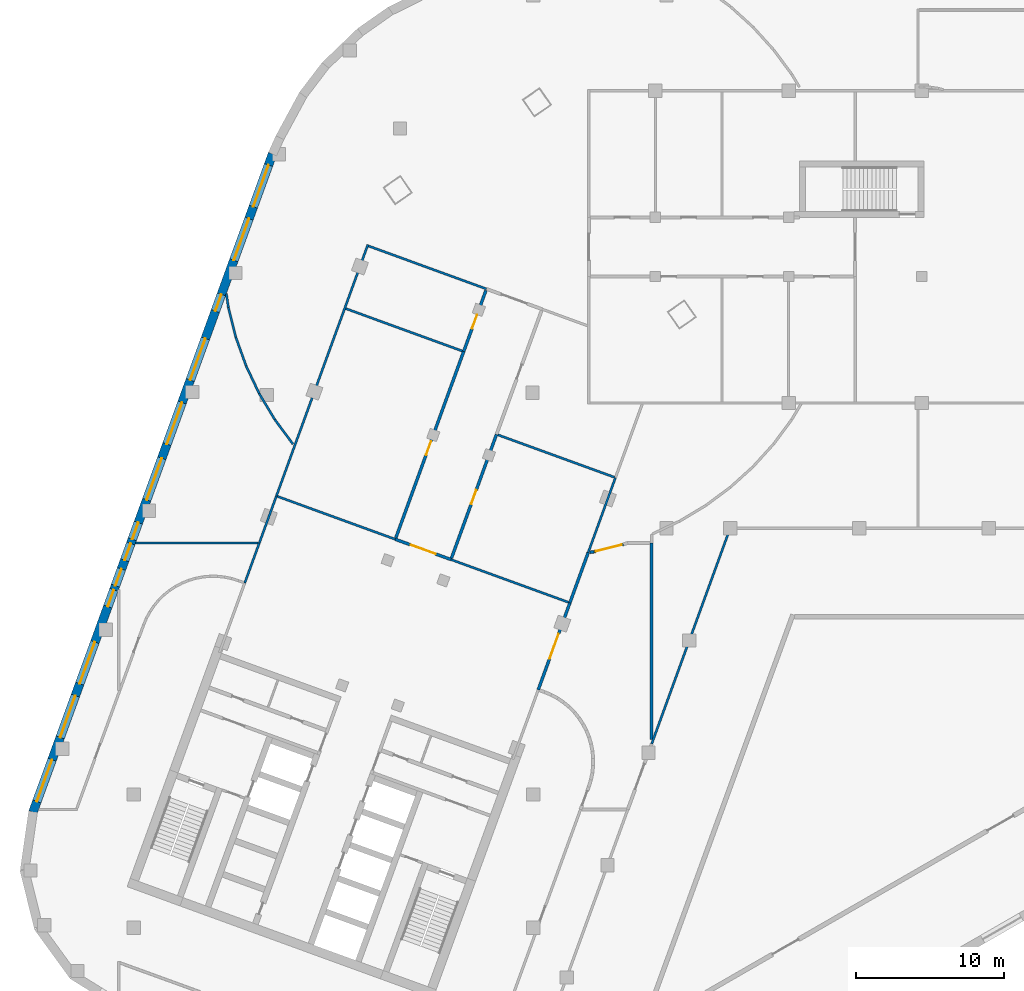
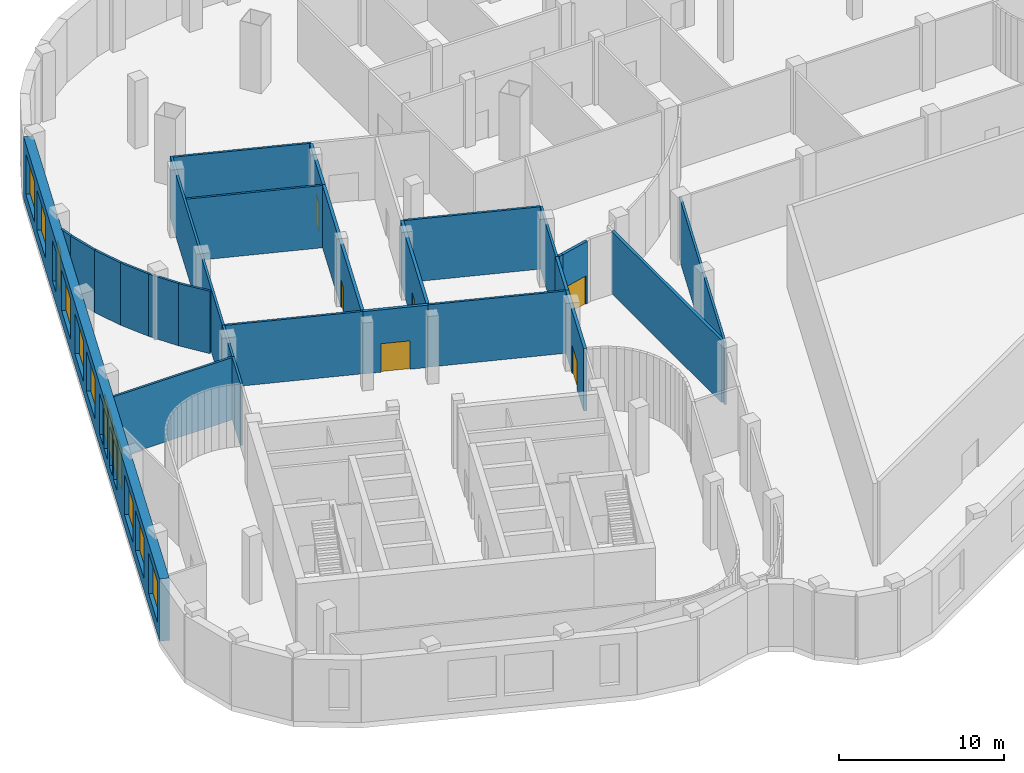
# One storey, part 11 of 24: 27 walls, 13 windows, 6 doors, 19 openings.
"""IFC4 building model written with IfcOpenShell, lengths in metres."""

from ifc_helpers import new_model, si_unit, direction, frame, frame_2d, origin, place, context, subcontext, project, spatial, rectangle, extrude, material, layer, layer_set, type_object, element, fill, save


model = new_model("IFC4")

# Units and contexts
model_context = context("Model", 3, precision=1e-05, world=origin(), true_north=direction((0.0, 1.0)))
body_context = subcontext(model_context, "Body", "Model", "MODEL_VIEW")
ifc_project = project(units=[si_unit("LENGTHUNIT", "METRE"), si_unit("AREAUNIT", "SQUARE_METRE"), si_unit("VOLUMEUNIT", "CUBIC_METRE"), si_unit("PLANEANGLEUNIT", "RADIAN"), si_unit("MASSUNIT", "GRAM", prefix="KILO")], contexts=[model_context])

# Site, building, storey
site_placement = place(None, origin())
site = spatial("IfcSite", under=ifc_project, at=site_placement, CompositionType="ELEMENT")
building_placement = place(site_placement, origin())
building = spatial("IfcBuilding", under=site, at=building_placement, Name="Skarvind Civic Tower", CompositionType="ELEMENT")
storey_placement = place(building_placement, frame((0.0, 0.0, 12.5)))
storey = spatial("IfcBuildingStorey", under=building, at=storey_placement, Name="L02", CompositionType="ELEMENT", Elevation=12.5)

# Wall, opening, door
ifc_material_1 = material(Name="Fire-rated blockwork wall, plastered", Category="masonry")
ifc_layer_1 = layer(ifc_material_1, 0.199951171875)
ifc_layer_set_1 = layer_set([ifc_layer_1], Name="FIRE WALL 200 EI 60")
wall_type_1 = type_object("IfcWallType", Name="FIRE WALL 200 EI 60", PredefinedType="PARTITIONING", material=ifc_layer_set_1)
wall_1_placement = place(storey_placement, frame((40.43994140625, 106.8779296875, 0.0), z_axis=(0.0, 0.0, 1.0), x_axis=(-0.939665029144, 0.342095941228, 0.0)))
wall_1 = element("IfcWall", 1, at=wall_1_placement, inside=storey, type_object=wall_type_1, Name="Podium partition L02 040", PredefinedType="PARTITIONING", context=body_context, shape_type="SweptSolid", body=[
    extrude(rectangle(XDim=3.999267578125, YDim=0.199951171875, at=frame_2d((1.99951171875, 0.0))), origin(), (0.0, 0.0, 1.0), 4.60009765625),
])
opening_1_placement = place(wall_1_placement, frame((1.09912109375, 0.0, 0.0)))
opening_1 = element("IfcOpeningElement", 2, at=opening_1_placement, cuts=wall_1, Name="Opening L02-D204", PredefinedType="OPENING", context=body_context, shape_type="SweptSolid", body=[
    extrude(rectangle(XDim=1.800048828125, YDim=2.10009765625, at=frame_2d((0.89990234375, 1.050048828125))), frame((0.0, 0.10986328125, 0.0), z_axis=(0.0, -1.0, 0.0), x_axis=(1.0, 0.0, 0.0)), (0.0, 0.0, 1.0), 0.219970703125),
])
ifc_material_2 = material(Name="Painted steel fire door leaf", Category="steel")
door_type_1 = type_object("IfcDoorType", Name="FIRE DOOR 1800X2100 DOUBLE STEEL", OperationType="NOTDEFINED", PredefinedType="DOOR", material=ifc_material_2)
door_1_placement = place(opening_1_placement, origin())
door_1 = element("IfcDoor", 3, at=door_1_placement, inside=storey, type_object=door_type_1, Name="FIRE DOOR", OperationType="DOUBLE_DOOR_SINGLE_SWING", OverallHeight=2.10009765625, OverallWidth=1.800048828125, PredefinedType="DOOR", context=body_context, shape_type="SweptSolid", body=[
    extrude(rectangle(XDim=1.800048828125, YDim=2.10009765625, at=frame_2d((0.89990234375, 1.050048828125))), frame((0.0, 0.02490234375, 0.0), z_axis=(0.0, -1.0, 0.0), x_axis=(1.0, 0.0, 0.0)), (0.0, 0.0, 1.0), 0.050048828125),
])
fill(opening_1, door_1)

wall_2_placement = place(storey_placement, frame((36.716064453125, 108.340087890625, 0.0), z_axis=(0.0, 0.0, 1.0), x_axis=(0.342018071111, 0.939693375008, 0.0)))
wall_2 = element("IfcWall", 4, at=wall_2_placement, inside=storey, type_object=wall_type_1, Name="Podium partition L02 041", PredefinedType="PARTITIONING", context=body_context, shape_type="SweptSolid", body=[
    extrude(rectangle(XDim=13.39990234375, YDim=0.199951171875, at=frame_2d((6.699951171875, 0.0))), origin(), (0.0, 0.0, 1.0), 4.60009765625),
])
opening_2_placement = place(wall_2_placement, frame((5.951904296875, 0.0, 0.0)))
opening_2 = element("IfcOpeningElement", 5, at=opening_2_placement, cuts=wall_2, Name="Opening L02-D205", PredefinedType="OPENING", context=body_context, shape_type="SweptSolid", body=[
    extrude(rectangle(XDim=1.0, YDim=2.10009765625, at=frame_2d((0.5, 1.050048828125))), frame((0.0, 0.10986328125, 0.0), z_axis=(0.0, -1.0, 0.0), x_axis=(1.0, 0.0, 0.0)), (0.0, 0.0, 1.0), 0.219970703125),
])
door_type_2 = type_object("IfcDoorType", Name="FIRE DOOR 1000X2100 STEEL", OperationType="NOTDEFINED", PredefinedType="DOOR", material=ifc_material_2)
door_2_placement = place(opening_2_placement, origin())
door_2 = element("IfcDoor", 6, at=door_2_placement, inside=storey, type_object=door_type_2, Name="FIRE DOOR", OperationType="SINGLE_SWING_LEFT", OverallHeight=2.10009765625, OverallWidth=1.0, PredefinedType="DOOR", context=body_context, shape_type="SweptSolid", body=[
    extrude(rectangle(XDim=1.0, YDim=2.10009765625, at=frame_2d((0.5, 1.050048828125))), frame((0.0, 0.02490234375, 0.0), z_axis=(0.0, -1.0, 0.0), x_axis=(1.0, 0.0, 0.0)), (0.0, 0.0, 1.0), 0.050048828125),
])
fill(opening_2, door_2)

wall_3_placement = place(storey_placement, frame((43.51904296875, 115.3349609375, 0.0), z_axis=(0.0, 0.0, 1.0), x_axis=(-0.342121866134, -0.939655590476, 0.0)))
wall_3 = element("IfcWall", 7, at=wall_3_placement, inside=storey, type_object=wall_type_1, Name="Podium partition L02 049", PredefinedType="PARTITIONING", context=body_context, shape_type="SweptSolid", body=[
    extrude(rectangle(XDim=8.900146484375, YDim=0.199951171875, at=frame_2d((4.4501953125, 0.0))), origin(), (0.0, 0.0, 1.0), 4.60009765625),
])
opening_3_placement = place(wall_3_placement, frame((3.998046875, 0.0, 0.0)))
opening_3 = element("IfcOpeningElement", 8, at=opening_3_placement, cuts=wall_3, Name="Opening L02-D206", PredefinedType="OPENING", context=body_context, shape_type="SweptSolid", body=[
    extrude(rectangle(XDim=1.0, YDim=2.10009765625, at=frame_2d((0.5, 1.050048828125))), frame((0.0, 0.10986328125, 0.0), z_axis=(0.0, -1.0, 0.0), x_axis=(1.0, 0.0, 0.0)), (0.0, 0.0, 1.0), 0.219970703125),
])
door_3_placement = place(opening_3_placement, origin())
door_3 = element("IfcDoor", 9, at=door_3_placement, inside=storey, type_object=door_type_2, Name="FIRE DOOR", OperationType="SINGLE_SWING_LEFT", OverallHeight=2.10009765625, OverallWidth=1.0, PredefinedType="DOOR", context=body_context, shape_type="SweptSolid", body=[
    extrude(rectangle(XDim=1.0, YDim=2.10009765625, at=frame_2d((0.5, 1.050048828125))), frame((0.0, 0.02490234375, 0.0), z_axis=(0.0, -1.0, 0.0), x_axis=(1.0, 0.0, 0.0)), (0.0, 0.0, 1.0), 0.050048828125),
])
fill(opening_3, door_3)

wall_4_placement = place(storey_placement, frame((41.299072265625, 120.931884765625, 0.0), z_axis=(0.0, 0.0, 1.0), x_axis=(0.342063854115, 0.939676710208, 0.0)))
wall_4 = element("IfcWall", 10, at=wall_4_placement, inside=storey, type_object=wall_type_1, Name="Podium partition L02 052", PredefinedType="PARTITIONING", context=body_context, shape_type="SweptSolid", body=[
    extrude(rectangle(XDim=4.3994140625, YDim=0.199951171875, at=frame_2d((2.19970703125, 0.0))), origin(), (0.0, 0.0, 1.0), 4.60009765625),
])
opening_4_placement = place(wall_4_placement, frame((1.64794921875, 0.0, 0.0)))
opening_4 = element("IfcOpeningElement", 11, at=opening_4_placement, cuts=wall_4, Name="Opening L02-D207", PredefinedType="OPENING", context=body_context, shape_type="SweptSolid", body=[
    extrude(rectangle(XDim=1.0, YDim=2.10009765625, at=frame_2d((0.5, 1.050048828125))), frame((0.0, 0.10986328125, 0.0), z_axis=(0.0, -1.0, 0.0), x_axis=(1.0, 0.0, 0.0)), (0.0, 0.0, 1.0), 0.219970703125),
])
door_4_placement = place(opening_4_placement, origin())
door_4 = element("IfcDoor", 12, at=door_4_placement, inside=storey, type_object=door_type_2, Name="FIRE DOOR", OperationType="SINGLE_SWING_RIGHT", OverallHeight=2.10009765625, OverallWidth=1.0, PredefinedType="DOOR", context=body_context, shape_type="SweptSolid", body=[
    extrude(rectangle(XDim=1.0, YDim=2.10009765625, at=frame_2d((0.5, 1.050048828125))), frame((0.0, 0.02490234375, 0.0), z_axis=(0.0, -1.0, 0.0), x_axis=(1.0, 0.0, 0.0)), (0.0, 0.0, 1.0), 0.050048828125),
])
fill(opening_4, door_4)

wall_5_placement = place(storey_placement, frame((46.3369140625, 98.080078125, 0.0), z_axis=(0.0, 0.0, 1.0), x_axis=(0.342113136459, 0.939658768842, 0.0)))
wall_5 = element("IfcWall", 13, at=wall_5_placement, inside=storey, type_object=wall_type_1, Name="Podium partition L02 073", PredefinedType="PARTITIONING", context=body_context, shape_type="SweptSolid", body=[
    extrude(rectangle(XDim=6.25, YDim=0.199951171875, at=frame_2d((3.125, 0.0))), origin(), (0.0, 0.0, 1.0), 4.60009765625),
])
opening_5_placement = place(wall_5_placement, frame((2.222900390625, 0.0, 0.0)))
opening_5 = element("IfcOpeningElement", 14, at=opening_5_placement, cuts=wall_5, Name="Opening L02-D211", PredefinedType="OPENING", context=body_context, shape_type="SweptSolid", body=[
    extrude(rectangle(XDim=1.800048828125, YDim=2.10009765625, at=frame_2d((0.89990234375, 1.050048828125))), frame((0.0, 0.10986328125, 0.0), z_axis=(0.0, -1.0, 0.0), x_axis=(1.0, 0.0, 0.0)), (0.0, 0.0, 1.0), 0.219970703125),
])
door_5_placement = place(opening_5_placement, origin())
door_5 = element("IfcDoor", 15, at=door_5_placement, inside=storey, type_object=door_type_1, Name="FIRE DOOR", OperationType="DOUBLE_DOOR_SINGLE_SWING", OverallHeight=2.10009765625, OverallWidth=1.800048828125, PredefinedType="DOOR", context=body_context, shape_type="SweptSolid", body=[
    extrude(rectangle(XDim=1.800048828125, YDim=2.10009765625, at=frame_2d((0.89990234375, 1.050048828125))), frame((0.0, 0.02490234375, 0.0), z_axis=(0.0, -1.0, 0.0), x_axis=(1.0, 0.0, 0.0)), (0.0, 0.0, 1.0), 0.050048828125),
])
fill(opening_5, door_5)

# Walls
wall_6_placement = place(storey_placement, frame((48.47509765625, 103.952880859375, 0.0), z_axis=(0.0, 0.0, 1.0), x_axis=(0.341992779494, 0.939702579955, 0.0)))
element("IfcWall", 16, at=wall_6_placement, inside=storey, type_object=wall_type_1, Name="Podium partition L02 084", PredefinedType="PARTITIONING", context=body_context, shape_type="SweptSolid", body=[
    extrude(rectangle(XDim=3.61083984375, YDim=0.199951171875, at=frame_2d((1.805419921875, 0.0))), origin(), (0.0, 0.0, 1.0), 4.60009765625),
])
wall_7_placement = place(storey_placement, frame((49.822998046875, 107.363037109375, 0.0), z_axis=(0.0, 0.0, 1.0), x_axis=(0.988866439098, 0.148805798359, 0.0)))
element("IfcWall", 17, at=wall_7_placement, inside=storey, type_object=wall_type_1, Name="Podium partition L02 091", PredefinedType="PARTITIONING", context=body_context, shape_type="SweptSolid", body=[
    extrude(rectangle(XDim=0.2822265625, YDim=0.199951171875, at=frame_2d((0.14111328125, 0.0))), origin(), (0.0, 0.0, 1.0), 4.60009765625),
])

# Wall, opening, door
wall_8_placement = place(storey_placement, frame((52.10107421875, 107.905029296875, 0.0), z_axis=(0.0, 0.0, 1.0), x_axis=(-0.970177165917, -0.242396919811, 0.0)))
wall_8 = element("IfcWall", 18, at=wall_8_placement, inside=storey, type_object=wall_type_1, Name="Podium partition L02 107", PredefinedType="PARTITIONING", context=body_context, shape_type="SweptSolid", body=[
    extrude(rectangle(XDim=2.07080078125, YDim=0.199951171875, at=frame_2d((1.035400390625, 0.0))), origin(), (0.0, 0.0, 1.0), 4.60009765625),
])
opening_6_placement = place(wall_8_placement, frame((0.135986328125, 0.0, 0.0)))
opening_6 = element("IfcOpeningElement", 19, at=opening_6_placement, cuts=wall_8, Name="Opening L02-D214", PredefinedType="OPENING", context=body_context, shape_type="SweptSolid", body=[
    extrude(rectangle(XDim=1.800048828125, YDim=2.10009765625, at=frame_2d((0.89990234375, 1.050048828125))), frame((0.0, 0.10986328125, 0.0), z_axis=(0.0, -1.0, 0.0), x_axis=(1.0, 0.0, 0.0)), (0.0, 0.0, 1.0), 0.219970703125),
])
door_6_placement = place(opening_6_placement, origin())
door_6 = element("IfcDoor", 20, at=door_6_placement, inside=storey, type_object=door_type_1, Name="FIRE DOOR", OperationType="DOUBLE_DOOR_SINGLE_SWING", OverallHeight=2.10009765625, OverallWidth=1.800048828125, PredefinedType="DOOR", context=body_context, shape_type="SweptSolid", body=[
    extrude(rectangle(XDim=1.800048828125, YDim=2.10009765625, at=frame_2d((0.89990234375, 1.050048828125))), frame((0.0, 0.02490234375, 0.0), z_axis=(0.0, -1.0, 0.0), x_axis=(1.0, 0.0, 0.0)), (0.0, 0.0, 1.0), 0.050048828125),
])
fill(opening_6, door_6)

# Walls
wall_9_placement = place(storey_placement, frame((54.0, 94.715087890625, 0.0), z_axis=(0.0, 0.0, 1.0), x_axis=(0.0, 1.0, 0.0)))
element("IfcWall", 21, at=wall_9_placement, inside=storey, type_object=wall_type_1, Name="Podium partition L02 114", PredefinedType="PARTITIONING", context=body_context, shape_type="SweptSolid", body=[
    extrude(rectangle(XDim=13.284912109375, YDim=0.199951171875, at=frame_2d((6.642578125, 0.0))), origin(), (0.0, 0.0, 1.0), 4.60009765625),
])
ifc_material_3 = material(Name="Plasterboard partition on steel studs", Category="steel")
ifc_layer_2 = layer(ifc_material_3, 0.14990234375)
ifc_layer_set_2 = layer_set([ifc_layer_2], Name="PARTITION 150")
wall_type_2 = type_object("IfcWallType", Name="PARTITION 150", PredefinedType="PARTITIONING", material=ifc_layer_set_2)
wall_10_placement = place(storey_placement, frame((19.139892578125, 108.0, 0.0), z_axis=(0.0, 0.0, 1.0), x_axis=(1.0, 0.0, 0.0)))
element("IfcWall", 22, at=wall_10_placement, inside=storey, type_object=wall_type_2, Name="Podium partition L02 006", PredefinedType="PARTITIONING", context=body_context, shape_type="SweptSolid", body=[
    extrude(rectangle(XDim=8.274169921875, YDim=0.14990234375, at=frame_2d((4.13720703125, 0.0))), origin(), (0.0, 0.0, 1.0), 4.60009765625),
])
wall_11_placement = place(storey_placement, frame((25.26611328125, 124.8310546875, 0.0), z_axis=(0.0, 0.0, 1.0), x_axis=(0.147402970256, -0.989076520983, 0.0)))
element("IfcWall", 23, at=wall_11_placement, inside=storey, type_object=wall_type_2, Name="Podium partition L02 023", PredefinedType="PARTITIONING", context=body_context, shape_type="SweptSolid", body=[
    extrude(rectangle(XDim=0.9423828125, YDim=0.14990234375, at=frame_2d((0.47119140625, 0.0))), origin(), (0.0, 0.0, 1.0), 4.60009765625),
])
wall_12_placement = place(storey_placement, frame((25.403076171875, 123.906982421875, 0.0), z_axis=(0.0, 0.0, 1.0), x_axis=(0.24261892201, -0.970121672102, 0.0)))
element("IfcWall", 24, at=wall_12_placement, inside=storey, type_object=wall_type_2, Name="Podium partition L02 024", PredefinedType="PARTITIONING", context=body_context, shape_type="SweptSolid", body=[
    extrude(rectangle(XDim=2.06884765625, YDim=0.14990234375, at=frame_2d((1.034423828125, 0.0))), origin(), (0.0, 0.0, 1.0), 4.60009765625),
])
wall_13_placement = place(storey_placement, frame((25.903076171875, 121.906982421875, 0.0), z_axis=(0.0, 0.0, 1.0), x_axis=(0.337196677173, -0.941434225479, 0.0)))
element("IfcWall", 25, at=wall_13_placement, inside=storey, type_object=wall_type_2, Name="Podium partition L02 026", PredefinedType="PARTITIONING", context=body_context, shape_type="SweptSolid", body=[
    extrude(rectangle(XDim=2.067138671875, YDim=0.14990234375, at=frame_2d((1.03369140625, 0.0))), origin(), (0.0, 0.0, 1.0), 4.60009765625),
])
wall_14_placement = place(storey_placement, frame((26.510009765625, 105.297119140625, 0.0), z_axis=(0.0, 0.0, 1.0), x_axis=(0.342056533425, 0.939679375075, 0.0)))
element("IfcWall", 26, at=wall_14_placement, inside=storey, type_object=wall_type_2, Name="Podium partition L02 028", PredefinedType="PARTITIONING", context=body_context, shape_type="SweptSolid", body=[
    extrude(rectangle(XDim=2.87646484375, YDim=0.14990234375, at=frame_2d((1.438232421875, 0.0))), origin(), (0.0, 0.0, 1.0), 4.60009765625),
])
for number, where, z_axis, x_axis, name in (
    (27, (26.596923828125, 119.967041015625, 0.0), (0.0, 0.0, 1.0), (0.42793917446, -0.90380753646, 0.0), "Podium partition L02 029"),
    (28, (27.47802734375, 118.10400390625, 0.0), (0.0, 0.0, 1.0), (0.514009565734, -0.857784452141, 0.0), "Podium partition L02 030"),
):
    element("IfcWall", number, at=place(storey_placement, frame(where, z_axis=z_axis, x_axis=x_axis)), inside=storey, type_object=wall_type_2, Name=name, PredefinedType="PARTITIONING", context=body_context, shape_type="SweptSolid", body=[
        extrude(rectangle(XDim=2.068115234375, YDim=0.14990234375, at=frame_2d((1.0341796875, 0.0))), origin(), (0.0, 0.0, 1.0), 4.60009765625),
    ])
wall_15_placement = place(storey_placement, frame((27.493896484375, 108.0, 0.0), z_axis=(0.0, 0.0, 1.0), x_axis=(0.341841854689, 0.93975749339, 0.0)))
element("IfcWall", 29, at=wall_15_placement, inside=storey, type_object=wall_type_2, Name="Podium partition L02 031", PredefinedType="PARTITIONING", context=body_context, shape_type="SweptSolid", body=[
    extrude(rectangle(XDim=3.373046875, YDim=0.14990234375, at=frame_2d((1.6865234375, 0.0))), origin(), (0.0, 0.0, 1.0), 4.60009765625),
])
wall_16_placement = place(storey_placement, frame((28.537109375, 116.3359375, 0.0), z_axis=(0.0, 0.0, 1.0), x_axis=(0.595741297031, -0.80317638599, 0.0)))
element("IfcWall", 30, at=wall_16_placement, inside=storey, type_object=wall_type_2, Name="Podium partition L02 032", PredefinedType="PARTITIONING", context=body_context, shape_type="SweptSolid", body=[
    extrude(rectangle(XDim=2.06787109375, YDim=0.14990234375, at=frame_2d((1.033935546875, 0.0))), origin(), (0.0, 0.0, 1.0), 4.60009765625),
])
wall_17_placement = place(storey_placement, frame((28.64697265625, 111.169921875, 0.0), z_axis=(0.0, 0.0, 1.0), x_axis=(0.342087921954, 0.939667948614, 0.0)))
element("IfcWall", 31, at=wall_17_placement, inside=storey, type_object=wall_type_2, Name="Podium partition L02 033", PredefinedType="PARTITIONING", context=body_context, shape_type="SweptSolid", body=[
    extrude(rectangle(XDim=18.07470703125, YDim=0.14990234375, at=frame_2d((9.037353515625, 0.0))), origin(), (0.0, 0.0, 1.0), 4.60009765625),
])
wall_18_placement = place(storey_placement, frame((28.717041015625, 111.14404296875, 0.0), z_axis=(0.0, 0.0, 1.0), x_axis=(0.939731172492, -0.341914204803, 0.0)))
element("IfcWall", 32, at=wall_18_placement, inside=storey, type_object=wall_type_2, Name="Podium partition L02 034", PredefinedType="PARTITIONING", context=body_context, shape_type="SweptSolid", body=[
    extrude(rectangle(XDim=8.4755859375, YDim=0.14990234375, at=frame_2d((4.23779296875, 0.0))), origin(), (0.0, 0.0, 1.0), 4.60009765625),
])
wall_19_placement = place(storey_placement, frame((33.3349609375, 123.830078125, 0.0), z_axis=(0.0, 0.0, 1.0), x_axis=(0.939710837098, -0.341970090272, 0.0)))
element("IfcWall", 33, at=wall_19_placement, inside=storey, type_object=wall_type_2, Name="Podium partition L02 037", PredefinedType="PARTITIONING", context=body_context, shape_type="SweptSolid", body=[
    extrude(rectangle(XDim=8.375, YDim=0.14990234375, at=frame_2d((4.1875, 0.0))), origin(), (0.0, 0.0, 1.0), 4.60009765625),
])
wall_20_placement = place(storey_placement, frame((34.8740234375, 128.05810546875, 0.0), z_axis=(0.0, 0.0, 1.0), x_axis=(0.939708443164, -0.341976668571, 0.0)))
element("IfcWall", 34, at=wall_20_placement, inside=storey, type_object=wall_type_2, Name="Podium partition L02 038", PredefinedType="PARTITIONING", context=body_context, shape_type="SweptSolid", body=[
    extrude(rectangle(XDim=8.474853515625, YDim=0.14990234375, at=frame_2d((4.2373046875, 0.0))), origin(), (0.0, 0.0, 1.0), 4.60009765625),
])
wall_21_placement = place(storey_placement, frame((40.43994140625, 106.8779296875, 0.0), z_axis=(0.0, 0.0, 1.0), x_axis=(0.939672748075, -0.342074738216, 0.0)))
element("IfcWall", 35, at=wall_21_placement, inside=storey, type_object=wall_type_2, Name="Podium partition L02 050", PredefinedType="PARTITIONING", context=body_context, shape_type="SweptSolid", body=[
    extrude(rectangle(XDim=8.450927734375, YDim=0.14990234375, at=frame_2d((4.2255859375, 0.0))), origin(), (0.0, 0.0, 1.0), 4.60009765625),
])
wall_22_placement = place(storey_placement, frame((43.613037109375, 115.301025390625, 0.0), z_axis=(0.0, 0.0, 1.0), x_axis=(0.93970742794, -0.341979458265, 0.0)))
element("IfcWall", 36, at=wall_22_placement, inside=storey, type_object=wall_type_2, Name="Podium partition L02 062", PredefinedType="PARTITIONING", context=body_context, shape_type="SweptSolid", body=[
    extrude(rectangle(XDim=8.374755859375, YDim=0.14990234375, at=frame_2d((4.1875, 0.0))), origin(), (0.0, 0.0, 1.0), 4.60009765625),
])
wall_23_placement = place(storey_placement, frame((49.7099609375, 107.345947265625, 0.0), z_axis=(0.0, 0.0, 1.0), x_axis=(0.341943087223, 0.939720663336, 0.0)))
element("IfcWall", 37, at=wall_23_placement, inside=storey, type_object=wall_type_2, Name="Podium partition L02 092", PredefinedType="PARTITIONING", context=body_context, shape_type="SweptSolid", body=[
    extrude(rectangle(XDim=5.389892578125, YDim=0.14990234375, at=frame_2d((2.69482421875, 0.0))), origin(), (0.0, 0.0, 1.0), 4.60009765625),
])
wall_24_placement = place(storey_placement, frame((54.0, 94.428955078125, 0.0), z_axis=(0.0, 0.0, 1.0), x_axis=(0.342085241875, 0.939668924298, 0.0)))
element("IfcWall", 38, at=wall_24_placement, inside=storey, type_object=wall_type_2, Name="Podium partition L02 115", PredefinedType="PARTITIONING", context=body_context, shape_type="SweptSolid", body=[
    extrude(rectangle(XDim=15.5810546875, YDim=0.14990234375, at=frame_2d((7.79052734375, 0.0))), origin(), (0.0, 0.0, 1.0), 4.60009765625),
])

# Wall, openings, windows
ifc_material_4 = material(Name="Limestone masonry cladding on insulated backing", Category="masonry")
ifc_layer_3 = layer(ifc_material_4, 0.60009765625)
ifc_layer_set_3 = layer_set([ifc_layer_3], Name="WX1 STONE FACADE WALL 600")
wall_type_3 = type_object("IfcWallType", Name="WX1 STONE FACADE WALL 600", PredefinedType="SOLIDWALL", material=ifc_layer_set_3)
wall_25_placement = place(storey_placement, frame((12.199462890625, 89.80908203125, 0.0), z_axis=(0.0, 0.0, 1.0), x_axis=(0.342022998908, 0.939691581434, 0.0)))
wall_25 = element("IfcWall", 39, at=wall_25_placement, inside=storey, type_object=wall_type_3, Name="STONE FACADE WALL", PredefinedType="SOLIDWALL", context=body_context, shape_type="SweptSolid", body=[
    extrude(rectangle(XDim=47.33447265625, YDim=0.60009765625, at=frame_2d((23.667236328125, 0.0))), origin(), (0.0, 0.0, 1.0), 4.60009765625),
])
opening_7_placement = place(wall_25_placement, frame((0.77294921875, 0.0, 0.89990234375)))
opening_7 = element("IfcOpeningElement", 40, at=opening_7_placement, cuts=wall_25, Name="Opening WN2", PredefinedType="OPENING", context=body_context, shape_type="SweptSolid", body=[
    extrude(rectangle(XDim=3.0, YDim=3.0, at=frame_2d((1.5, 1.5))), frame((0.0, 0.31005859375, 0.0), z_axis=(0.0, -1.0, 0.0), x_axis=(1.0, 0.0, 0.0)), (0.0, 0.0, 1.0), 0.6201171875),
])
opening_8_placement = place(wall_25_placement, frame((5.37890625, 0.0, 0.89990234375)))
opening_8 = element("IfcOpeningElement", 41, at=opening_8_placement, cuts=wall_25, Name="Opening WN2", PredefinedType="OPENING", context=body_context, shape_type="SweptSolid", body=[
    extrude(rectangle(XDim=3.0, YDim=3.0, at=frame_2d((1.5, 1.5))), frame((0.0, 0.31005859375, 0.0), z_axis=(0.0, -1.0, 0.0), x_axis=(1.0, 0.0, 0.0)), (0.0, 0.0, 1.0), 0.6201171875),
])
opening_9_placement = place(wall_25_placement, frame((9.234619140625, 0.0, 0.89990234375)))
opening_9 = element("IfcOpeningElement", 42, at=opening_9_placement, cuts=wall_25, Name="Opening WN2", PredefinedType="OPENING", context=body_context, shape_type="SweptSolid", body=[
    extrude(rectangle(XDim=3.0, YDim=3.0, at=frame_2d((1.5, 1.5))), frame((0.0, 0.31005859375, 0.0), z_axis=(0.0, -1.0, 0.0), x_axis=(1.0, 0.0, 0.0)), (0.0, 0.0, 1.0), 0.6201171875),
])
opening_10_placement = place(wall_25_placement, frame((14.78564453125, 0.0, 0.89990234375)))
opening_10 = element("IfcOpeningElement", 43, at=opening_10_placement, cuts=wall_25, Name="Opening WN6", PredefinedType="OPENING", context=body_context, shape_type="SweptSolid", body=[
    extrude(rectangle(XDim=1.199951171875, YDim=3.0, at=frame_2d((0.60009765625, 1.5))), frame((0.0, 0.31005859375, 0.0), z_axis=(0.0, -1.0, 0.0), x_axis=(1.0, 0.0, 0.0)), (0.0, 0.0, 1.0), 0.6201171875),
])
opening_11_placement = place(wall_25_placement, frame((16.28564453125, 0.0, 0.89990234375)))
opening_11 = element("IfcOpeningElement", 44, at=opening_11_placement, cuts=wall_25, Name="Opening WN6", PredefinedType="OPENING", context=body_context, shape_type="SweptSolid", body=[
    extrude(rectangle(XDim=1.199951171875, YDim=3.0, at=frame_2d((0.60009765625, 1.5))), frame((0.0, 0.31005859375, 0.0), z_axis=(0.0, -1.0, 0.0), x_axis=(1.0, 0.0, 0.0)), (0.0, 0.0, 1.0), 0.6201171875),
])
opening_12_placement = place(wall_25_placement, frame((18.11767578125, 0.0, 0.89990234375)))
opening_12 = element("IfcOpeningElement", 45, at=opening_12_placement, cuts=wall_25, Name="Opening WN6", PredefinedType="OPENING", context=body_context, shape_type="SweptSolid", body=[
    extrude(rectangle(XDim=1.199951171875, YDim=3.0, at=frame_2d((0.60009765625, 1.5))), frame((0.0, 0.31005859375, 0.0), z_axis=(0.0, -1.0, 0.0), x_axis=(1.0, 0.0, 0.0)), (0.0, 0.0, 1.0), 0.6201171875),
])
opening_13_placement = place(wall_25_placement, frame((19.61767578125, 0.0, 0.89990234375)))
opening_13 = element("IfcOpeningElement", 46, at=opening_13_placement, cuts=wall_25, Name="Opening WN6", PredefinedType="OPENING", context=body_context, shape_type="SweptSolid", body=[
    extrude(rectangle(XDim=1.199951171875, YDim=3.0, at=frame_2d((0.60009765625, 1.5))), frame((0.0, 0.31005859375, 0.0), z_axis=(0.0, -1.0, 0.0), x_axis=(1.0, 0.0, 0.0)), (0.0, 0.0, 1.0), 0.6201171875),
])
opening_14_placement = place(wall_25_placement, frame((22.4521484375, 0.0, 0.89990234375)))
opening_14 = element("IfcOpeningElement", 47, at=opening_14_placement, cuts=wall_25, Name="Opening WN2", PredefinedType="OPENING", context=body_context, shape_type="SweptSolid", body=[
    extrude(rectangle(XDim=3.0, YDim=3.0, at=frame_2d((1.5, 1.5))), frame((0.0, 0.31005859375, 0.0), z_axis=(0.0, -1.0, 0.0), x_axis=(1.0, 0.0, 0.0)), (0.0, 0.0, 1.0), 0.6201171875),
])
opening_15_placement = place(wall_25_placement, frame((26.4580078125, 0.0, 0.89990234375)))
opening_15 = element("IfcOpeningElement", 48, at=opening_15_placement, cuts=wall_25, Name="Opening WN2", PredefinedType="OPENING", context=body_context, shape_type="SweptSolid", body=[
    extrude(rectangle(XDim=3.0, YDim=3.0, at=frame_2d((1.5, 1.5))), frame((0.0, 0.31005859375, 0.0), z_axis=(0.0, -1.0, 0.0), x_axis=(1.0, 0.0, 0.0)), (0.0, 0.0, 1.0), 0.6201171875),
])
opening_16_placement = place(wall_25_placement, frame((31.063720703125, 0.0, 0.89990234375)))
opening_16 = element("IfcOpeningElement", 49, at=opening_16_placement, cuts=wall_25, Name="Opening WN2", PredefinedType="OPENING", context=body_context, shape_type="SweptSolid", body=[
    extrude(rectangle(XDim=3.0, YDim=3.0, at=frame_2d((1.5, 1.5))), frame((0.0, 0.31005859375, 0.0), z_axis=(0.0, -1.0, 0.0), x_axis=(1.0, 0.0, 0.0)), (0.0, 0.0, 1.0), 0.6201171875),
])
opening_17_placement = place(wall_25_placement, frame((36.02880859375, 0.0, 0.89990234375)))
opening_17 = element("IfcOpeningElement", 50, at=opening_17_placement, cuts=wall_25, Name="Opening WN6", PredefinedType="OPENING", context=body_context, shape_type="SweptSolid", body=[
    extrude(rectangle(XDim=1.199951171875, YDim=3.0, at=frame_2d((0.60009765625, 1.5))), frame((0.0, 0.31005859375, 0.0), z_axis=(0.0, -1.0, 0.0), x_axis=(1.0, 0.0, 0.0)), (0.0, 0.0, 1.0), 0.6201171875),
])
opening_18_placement = place(wall_25_placement, frame((39.675537109375, 0.0, 0.89990234375)))
opening_18 = element("IfcOpeningElement", 51, at=opening_18_placement, cuts=wall_25, Name="Opening WN2", PredefinedType="OPENING", context=body_context, shape_type="SweptSolid", body=[
    extrude(rectangle(XDim=3.0, YDim=3.0, at=frame_2d((1.5, 1.5))), frame((0.0, 0.31005859375, 0.0), z_axis=(0.0, -1.0, 0.0), x_axis=(1.0, 0.0, 0.0)), (0.0, 0.0, 1.0), 0.6201171875),
])
opening_19_placement = place(wall_25_placement, frame((43.531494140625, 0.0, 0.89990234375)))
opening_19 = element("IfcOpeningElement", 52, at=opening_19_placement, cuts=wall_25, Name="Opening WN2", PredefinedType="OPENING", context=body_context, shape_type="SweptSolid", body=[
    extrude(rectangle(XDim=3.0, YDim=3.0, at=frame_2d((1.5, 1.5))), frame((0.0, 0.31005859375, 0.0), z_axis=(0.0, -1.0, 0.0), x_axis=(1.0, 0.0, 0.0)), (0.0, 0.0, 1.0), 0.6201171875),
])
ifc_material_5 = material(Name="Timber frame, double glazing, timber-lined reveal", Category="wood")
window_type_1 = type_object("IfcWindowType", Name="WN2 PODIUM STONE WINDOW 3000 x 3000", PartitioningType="SINGLE_PANEL", PredefinedType="WINDOW", material=ifc_material_5)
window_1_placement = place(opening_7_placement, origin())
window_1 = element("IfcWindow", 53, at=window_1_placement, inside=storey, type_object=window_type_1, Name="WN2 WINDOW", OverallHeight=3.0, OverallWidth=3.0, PartitioningType="SINGLE_PANEL", PredefinedType="WINDOW", context=body_context, shape_type="SweptSolid", body=[
    extrude(rectangle(XDim=3.0, YDim=3.0, at=frame_2d((1.5, 1.5))), frame((0.0, 0.030029296875, 0.0), z_axis=(0.0, -1.0, 0.0), x_axis=(1.0, 0.0, 0.0)), (0.0, 0.0, 1.0), 0.06005859375),
])
fill(opening_7, window_1)
window_2_placement = place(opening_8_placement, origin())
window_2 = element("IfcWindow", 54, at=window_2_placement, inside=storey, type_object=window_type_1, Name="WN2 WINDOW", OverallHeight=3.0, OverallWidth=3.0, PartitioningType="SINGLE_PANEL", PredefinedType="WINDOW", context=body_context, shape_type="SweptSolid", body=[
    extrude(rectangle(XDim=3.0, YDim=3.0, at=frame_2d((1.5, 1.5))), frame((0.0, 0.030029296875, 0.0), z_axis=(0.0, -1.0, 0.0), x_axis=(1.0, 0.0, 0.0)), (0.0, 0.0, 1.0), 0.06005859375),
])
fill(opening_8, window_2)
window_3_placement = place(opening_9_placement, origin())
window_3 = element("IfcWindow", 55, at=window_3_placement, inside=storey, type_object=window_type_1, Name="WN2 WINDOW", OverallHeight=3.0, OverallWidth=3.0, PartitioningType="SINGLE_PANEL", PredefinedType="WINDOW", context=body_context, shape_type="SweptSolid", body=[
    extrude(rectangle(XDim=3.0, YDim=3.0, at=frame_2d((1.5, 1.5))), frame((0.0, 0.030029296875, 0.0), z_axis=(0.0, -1.0, 0.0), x_axis=(1.0, 0.0, 0.0)), (0.0, 0.0, 1.0), 0.06005859375),
])
fill(opening_9, window_3)
window_4_placement = place(opening_14_placement, origin())
window_4 = element("IfcWindow", 56, at=window_4_placement, inside=storey, type_object=window_type_1, Name="WN2 WINDOW", OverallHeight=3.0, OverallWidth=3.0, PartitioningType="SINGLE_PANEL", PredefinedType="WINDOW", context=body_context, shape_type="SweptSolid", body=[
    extrude(rectangle(XDim=3.0, YDim=3.0, at=frame_2d((1.5, 1.5))), frame((0.0, 0.030029296875, 0.0), z_axis=(0.0, -1.0, 0.0), x_axis=(1.0, 0.0, 0.0)), (0.0, 0.0, 1.0), 0.06005859375),
])
fill(opening_14, window_4)
window_5_placement = place(opening_15_placement, origin())
window_5 = element("IfcWindow", 57, at=window_5_placement, inside=storey, type_object=window_type_1, Name="WN2 WINDOW", OverallHeight=3.0, OverallWidth=3.0, PartitioningType="SINGLE_PANEL", PredefinedType="WINDOW", context=body_context, shape_type="SweptSolid", body=[
    extrude(rectangle(XDim=3.0, YDim=3.0, at=frame_2d((1.5, 1.5))), frame((0.0, 0.030029296875, 0.0), z_axis=(0.0, -1.0, 0.0), x_axis=(1.0, 0.0, 0.0)), (0.0, 0.0, 1.0), 0.06005859375),
])
fill(opening_15, window_5)
window_6_placement = place(opening_16_placement, origin())
window_6 = element("IfcWindow", 58, at=window_6_placement, inside=storey, type_object=window_type_1, Name="WN2 WINDOW", OverallHeight=3.0, OverallWidth=3.0, PartitioningType="SINGLE_PANEL", PredefinedType="WINDOW", context=body_context, shape_type="SweptSolid", body=[
    extrude(rectangle(XDim=3.0, YDim=3.0, at=frame_2d((1.5, 1.5))), frame((0.0, 0.030029296875, 0.0), z_axis=(0.0, -1.0, 0.0), x_axis=(1.0, 0.0, 0.0)), (0.0, 0.0, 1.0), 0.06005859375),
])
fill(opening_16, window_6)
window_7_placement = place(opening_18_placement, origin())
window_7 = element("IfcWindow", 59, at=window_7_placement, inside=storey, type_object=window_type_1, Name="WN2 WINDOW", OverallHeight=3.0, OverallWidth=3.0, PartitioningType="SINGLE_PANEL", PredefinedType="WINDOW", context=body_context, shape_type="SweptSolid", body=[
    extrude(rectangle(XDim=3.0, YDim=3.0, at=frame_2d((1.5, 1.5))), frame((0.0, 0.030029296875, 0.0), z_axis=(0.0, -1.0, 0.0), x_axis=(1.0, 0.0, 0.0)), (0.0, 0.0, 1.0), 0.06005859375),
])
fill(opening_18, window_7)
window_8_placement = place(opening_19_placement, origin())
window_8 = element("IfcWindow", 60, at=window_8_placement, inside=storey, type_object=window_type_1, Name="WN2 WINDOW", OverallHeight=3.0, OverallWidth=3.0, PartitioningType="SINGLE_PANEL", PredefinedType="WINDOW", context=body_context, shape_type="SweptSolid", body=[
    extrude(rectangle(XDim=3.0, YDim=3.0, at=frame_2d((1.5, 1.5))), frame((0.0, 0.030029296875, 0.0), z_axis=(0.0, -1.0, 0.0), x_axis=(1.0, 0.0, 0.0)), (0.0, 0.0, 1.0), 0.06005859375),
])
fill(opening_19, window_8)
window_type_2 = type_object("IfcWindowType", Name="WN6 NARROW PODIUM WINDOW 1200 x 3000", PartitioningType="SINGLE_PANEL", PredefinedType="WINDOW", material=ifc_material_5)
window_9_placement = place(opening_10_placement, origin())
window_9 = element("IfcWindow", 61, at=window_9_placement, inside=storey, type_object=window_type_2, Name="WN6 WINDOW", OverallHeight=3.0, OverallWidth=1.199951171875, PartitioningType="SINGLE_PANEL", PredefinedType="WINDOW", context=body_context, shape_type="SweptSolid", body=[
    extrude(rectangle(XDim=1.199951171875, YDim=3.0, at=frame_2d((0.60009765625, 1.5))), frame((0.0, 0.030029296875, 0.0), z_axis=(0.0, -1.0, 0.0), x_axis=(1.0, 0.0, 0.0)), (0.0, 0.0, 1.0), 0.06005859375),
])
fill(opening_10, window_9)
window_10_placement = place(opening_11_placement, origin())
window_10 = element("IfcWindow", 62, at=window_10_placement, inside=storey, type_object=window_type_2, Name="WN6 WINDOW", OverallHeight=3.0, OverallWidth=1.199951171875, PartitioningType="SINGLE_PANEL", PredefinedType="WINDOW", context=body_context, shape_type="SweptSolid", body=[
    extrude(rectangle(XDim=1.199951171875, YDim=3.0, at=frame_2d((0.60009765625, 1.5))), frame((0.0, 0.030029296875, 0.0), z_axis=(0.0, -1.0, 0.0), x_axis=(1.0, 0.0, 0.0)), (0.0, 0.0, 1.0), 0.06005859375),
])
fill(opening_11, window_10)
window_11_placement = place(opening_12_placement, origin())
window_11 = element("IfcWindow", 63, at=window_11_placement, inside=storey, type_object=window_type_2, Name="WN6 WINDOW", OverallHeight=3.0, OverallWidth=1.199951171875, PartitioningType="SINGLE_PANEL", PredefinedType="WINDOW", context=body_context, shape_type="SweptSolid", body=[
    extrude(rectangle(XDim=1.199951171875, YDim=3.0, at=frame_2d((0.60009765625, 1.5))), frame((0.0, 0.030029296875, 0.0), z_axis=(0.0, -1.0, 0.0), x_axis=(1.0, 0.0, 0.0)), (0.0, 0.0, 1.0), 0.06005859375),
])
fill(opening_12, window_11)
window_12_placement = place(opening_13_placement, origin())
window_12 = element("IfcWindow", 64, at=window_12_placement, inside=storey, type_object=window_type_2, Name="WN6 WINDOW", OverallHeight=3.0, OverallWidth=1.199951171875, PartitioningType="SINGLE_PANEL", PredefinedType="WINDOW", context=body_context, shape_type="SweptSolid", body=[
    extrude(rectangle(XDim=1.199951171875, YDim=3.0, at=frame_2d((0.60009765625, 1.5))), frame((0.0, 0.030029296875, 0.0), z_axis=(0.0, -1.0, 0.0), x_axis=(1.0, 0.0, 0.0)), (0.0, 0.0, 1.0), 0.06005859375),
])
fill(opening_13, window_12)
window_13_placement = place(opening_17_placement, origin())
window_13 = element("IfcWindow", 65, at=window_13_placement, inside=storey, type_object=window_type_2, Name="WN6 WINDOW", OverallHeight=3.0, OverallWidth=1.199951171875, PartitioningType="SINGLE_PANEL", PredefinedType="WINDOW", context=body_context, shape_type="SweptSolid", body=[
    extrude(rectangle(XDim=1.199951171875, YDim=3.0, at=frame_2d((0.60009765625, 1.5))), frame((0.0, 0.030029296875, 0.0), z_axis=(0.0, -1.0, 0.0), x_axis=(1.0, 0.0, 0.0)), (0.0, 0.0, 1.0), 0.06005859375),
])
fill(opening_17, window_13)

save(model, "model.ifc")
